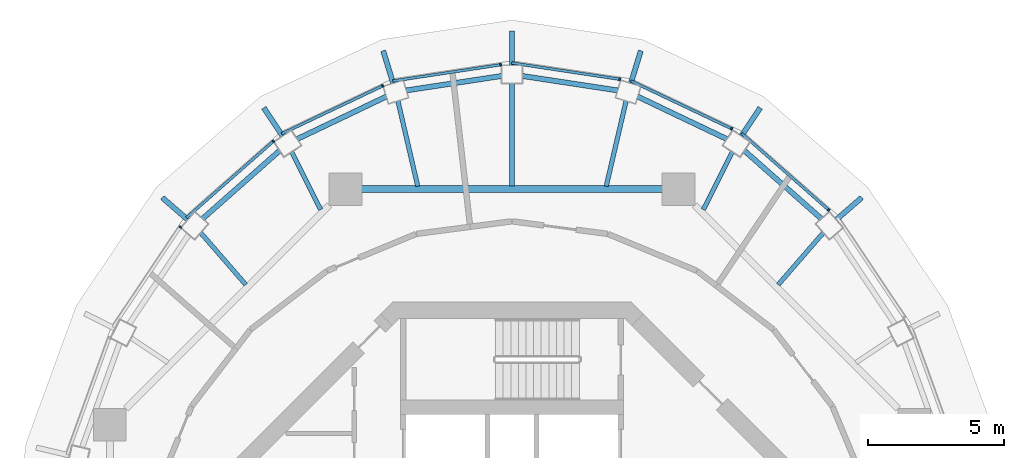
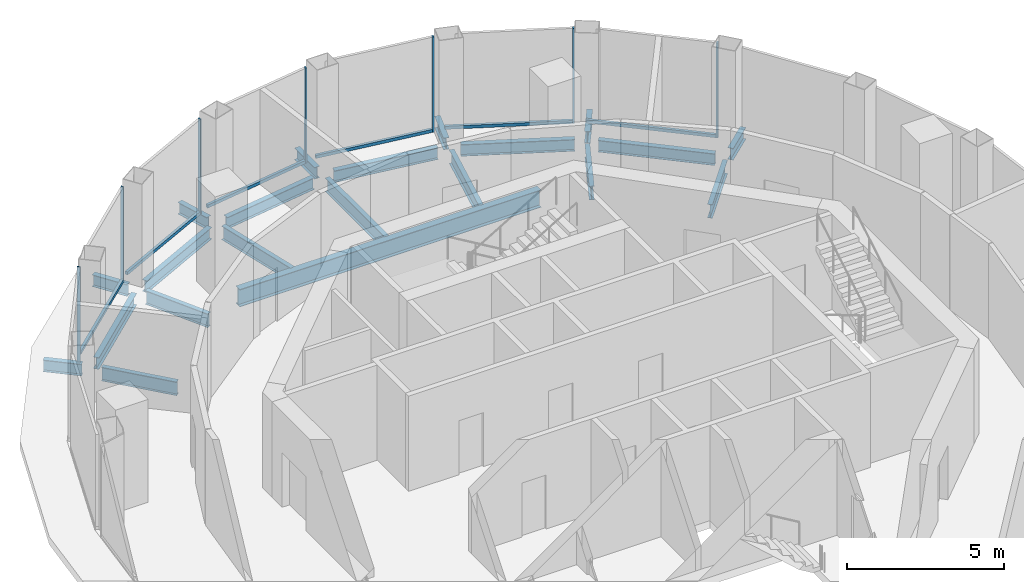
# One storey, part 6 of 11: 21 beams, 13 members, 7 elements without a shape of their own.
"""IFC4 building model written with IfcOpenShell, lengths in metres."""

from ifc_helpers import new_model, si_unit, direction, frame, origin, origin_2d, place, context, subcontext, project, spatial, rectangle, i_section, extrude, material, layer, layer_set, material_profile, profile_set, type_object, element, aggregate, save


model = new_model("IFC4")

# Units and contexts
model_context = context("Model", 3, precision=1e-05, world=origin(), true_north=direction((0.0, 1.0)))
body_context = subcontext(model_context, "Body", "Model", "MODEL_VIEW")
ifc_project = project(units=[si_unit("LENGTHUNIT", "METRE"), si_unit("AREAUNIT", "SQUARE_METRE"), si_unit("VOLUMEUNIT", "CUBIC_METRE"), si_unit("PLANEANGLEUNIT", "RADIAN"), si_unit("MASSUNIT", "GRAM", prefix="KILO")], contexts=[model_context])

# Site, building, storey
site_placement = place(None, origin())
site = spatial("IfcSite", under=ifc_project, at=site_placement, CompositionType="ELEMENT")
building_placement = place(site_placement, origin())
building = spatial("IfcBuilding", under=site, at=building_placement, Name="Nagisa Residences", CompositionType="ELEMENT")
storey_placement = place(building_placement, frame((0.0, 0.0, 324.89990234375)))
storey = spatial("IfcBuildingStorey", under=building, at=storey_placement, Name="L80", CompositionType="ELEMENT", Elevation=324.89990234375)

# Curtain wall, member
ifc_material_1 = material(Name="Aluminium curtain wall system", Category="aluminium")
ifc_layer = layer(ifc_material_1, 0.159912109375)
ifc_layer_set = layer_set([ifc_layer], Name="CW5 CURTAIN WALL")
curtain_wall_type = type_object("IfcCurtainWallType", Name="CW5 CURTAIN WALL", PredefinedType="NOTDEFINED", material=ifc_layer_set)
curtain_wall_1_placement = place(storey_placement, origin())
curtain_wall_1 = element("IfcCurtainWall", 1, at=curtain_wall_1_placement, inside=storey, type_object=curtain_wall_type, Name="cw:CW5:L80:03", PredefinedType="NOTDEFINED")
ifc_material_2 = material(Name="Aluminium", Category="aluminium")
ifc_material_profile_1 = material_profile(ifc_material_2, rectangle(XDim=0.10009765625, YDim=0.06005859375, at=origin_2d()), Name="CW5 MULLION 100x60")
ifc_profile_set_1 = profile_set([ifc_material_profile_1], Name="Aluminium")
member_type_1 = type_object("IfcMemberType", Name="CW5 MULLION 100x60", PredefinedType="MULLION", material=ifc_profile_set_1)
member_1_placement = place(storey_placement, frame((11.645263671875, 14.0126953125, 0.0), z_axis=(0.0, 0.0, 1.0), x_axis=(-0.660699467703, -0.750650526795, 0.0)))
member_1 = element("IfcMember", 2, at=member_1_placement, type_object=member_type_1, Name="CW5 mullion", PredefinedType="MULLION", context=body_context, shape_type="SweptSolid", body=[
    extrude(rectangle(XDim=0.10009765625, YDim=0.06005859375, at=origin_2d()), origin(), (0.0, 0.0, 1.0), 3.7001953125),
])

curtain_wall_2_placement = place(storey_placement, origin())
curtain_wall_2 = element("IfcCurtainWall", 3, at=curtain_wall_2_placement, inside=storey, type_object=curtain_wall_type, Name="cw:CW5:L80:04", PredefinedType="NOTDEFINED")
member_2_placement = place(storey_placement, frame((8.077392578125, 16.999755859375, 0.0), z_axis=(0.0, 0.0, 1.0), x_axis=(-0.429150642757, -0.903232929992, 0.0)))
member_2 = element("IfcMember", 4, at=member_2_placement, type_object=member_type_1, Name="CW5 mullion", PredefinedType="MULLION", context=body_context, shape_type="SweptSolid", body=[
    extrude(rectangle(XDim=0.10009765625, YDim=0.06005859375, at=origin_2d()), origin(), (0.0, 0.0, 1.0), 3.7001953125),
])

curtain_wall_3_placement = place(storey_placement, origin())
curtain_wall_3 = element("IfcCurtainWall", 5, at=curtain_wall_3_placement, inside=storey, type_object=curtain_wall_type, Name="cw:CW5:L80:05", PredefinedType="NOTDEFINED")
member_3_placement = place(storey_placement, frame((3.962890625, 18.820556640625, 0.0), z_axis=(0.0, 0.0, 1.0), x_axis=(-0.149320135997, -0.988788904158, 0.0)))
member_3 = element("IfcMember", 6, at=member_3_placement, type_object=member_type_1, Name="CW5 mullion", PredefinedType="MULLION", context=body_context, shape_type="SweptSolid", body=[
    extrude(rectangle(XDim=0.10009765625, YDim=0.06005859375, at=origin_2d()), origin(), (0.0, 0.0, 1.0), 3.7001953125),
])

curtain_wall_4_placement = place(storey_placement, origin())
curtain_wall_4 = element("IfcCurtainWall", 7, at=curtain_wall_4_placement, inside=storey, type_object=curtain_wall_type, Name="cw:CW5:L80:06", PredefinedType="NOTDEFINED")
member_4_placement = place(storey_placement, frame((-0.413330078125, 19.356689453125, 0.0), z_axis=(0.0, 0.0, 1.0), x_axis=(0.149320135997, -0.988788904158, 0.0)))
member_4 = element("IfcMember", 8, at=member_4_placement, type_object=member_type_1, Name="CW5 mullion", PredefinedType="MULLION", context=body_context, shape_type="SweptSolid", body=[
    extrude(rectangle(XDim=0.10009765625, YDim=0.06005859375, at=origin_2d()), origin(), (0.0, 0.0, 1.0), 3.7001953125),
])

curtain_wall_5_placement = place(storey_placement, origin())
curtain_wall_5 = element("IfcCurtainWall", 9, at=curtain_wall_5_placement, inside=storey, type_object=curtain_wall_type, Name="cw:CW5:L80:07", PredefinedType="NOTDEFINED")
member_5_placement = place(storey_placement, frame((-4.75390625, 18.578857421875, 0.0), z_axis=(0.0, 0.0, 1.0), x_axis=(0.429150642757, -0.903232929992, 0.0)))
member_5 = element("IfcMember", 10, at=member_5_placement, type_object=member_type_1, Name="CW5 mullion", PredefinedType="MULLION", context=body_context, shape_type="SweptSolid", body=[
    extrude(rectangle(XDim=0.10009765625, YDim=0.06005859375, at=origin_2d()), origin(), (0.0, 0.0, 1.0), 3.7001953125),
])

curtain_wall_6_placement = place(storey_placement, origin())
curtain_wall_6 = element("IfcCurtainWall", 11, at=curtain_wall_6_placement, inside=storey, type_object=curtain_wall_type, Name="cw:CW5:L80:08", PredefinedType="NOTDEFINED")
member_6_placement = place(storey_placement, frame((-8.77001953125, 16.54345703125, 0.0), z_axis=(0.0, 0.0, 1.0), x_axis=(0.660699467703, -0.750650526795, 0.0)))
member_6 = element("IfcMember", 12, at=member_6_placement, type_object=member_type_1, Name="CW5 mullion", PredefinedType="MULLION", context=body_context, shape_type="SweptSolid", body=[
    extrude(rectangle(XDim=0.10009765625, YDim=0.06005859375, at=origin_2d()), origin(), (0.0, 0.0, 1.0), 3.7001953125),
])

curtain_wall_7_placement = place(storey_placement, origin())
curtain_wall_7 = element("IfcCurtainWall", 13, at=curtain_wall_7_placement, inside=storey, type_object=curtain_wall_type, Name="cw:CW5:L80:09", PredefinedType="NOTDEFINED")
member_7_placement = place(storey_placement, frame((-12.193359375, 13.38671875, 0.0), z_axis=(0.0, 0.0, 1.0), x_axis=(0.831172662415, -0.556014393027, 0.0)))
member_7 = element("IfcMember", 14, at=member_7_placement, type_object=member_type_1, Name="CW5 mullion", PredefinedType="MULLION", context=body_context, shape_type="SweptSolid", body=[
    extrude(rectangle(XDim=0.10009765625, YDim=0.06005859375, at=origin_2d()), origin(), (0.0, 0.0, 1.0), 3.7001953125),
])
aggregate(curtain_wall_7, [member_7])

# Member
ifc_material_3 = material(Name="Aluminium", Category="aluminium")
ifc_material_profile_2 = material_profile(ifc_material_3, rectangle(XDim=0.10009765625, YDim=0.1201171875, at=origin_2d()), Name="CW5 TRANSOM 100x120")
ifc_profile_set_2 = profile_set([ifc_material_profile_2], Name="Aluminium")
member_type_2 = type_object("IfcMemberType", Name="CW5 TRANSOM 100x120", PredefinedType="USERDEFINED", material=ifc_profile_set_2)
member_8_placement = place(storey_placement, frame((11.667724609375, 13.992919921875, 0.06005859375), z_axis=(-0.750659327094, 0.660689469151, 0.0), x_axis=(-0.660689469151, -0.750659327094, 0.0)))
member_8 = element("IfcMember", 15, at=member_8_placement, type_object=member_type_2, Name="CW5 transom", ObjectType="TRANSOM", PredefinedType="USERDEFINED", context=body_context, shape_type="SweptSolid", body=[
    extrude(rectangle(XDim=0.10009765625, YDim=0.1201171875, at=origin_2d()), origin(), (0.0, 0.0, 1.0), 4.290283203125),
])

aggregate(curtain_wall_1, [member_1, member_8])

member_9_placement = place(storey_placement, frame((8.1044921875, 16.98681640625, 0.06005859375), z_axis=(-0.903246073132, 0.429122979309, 0.0), x_axis=(-0.429122979309, -0.903246073132, 0.0)))
member_9 = element("IfcMember", 16, at=member_9_placement, type_object=member_type_2, Name="CW5 transom", ObjectType="TRANSOM", PredefinedType="USERDEFINED", context=body_context, shape_type="SweptSolid", body=[
    extrude(rectangle(XDim=0.10009765625, YDim=0.1201171875, at=origin_2d()), origin(), (0.0, 0.0, 1.0), 4.1396484375),
])

aggregate(curtain_wall_2, [member_2, member_9])

member_10_placement = place(storey_placement, frame((3.992431640625, 18.816162109375, 0.06005859375), z_axis=(-0.988788172803, 0.149324978907, 0.0), x_axis=(-0.149324978907, -0.988788172803, 0.0)))
member_10 = element("IfcMember", 17, at=member_10_placement, type_object=member_type_2, Name="CW5 transom", ObjectType="TRANSOM", PredefinedType="USERDEFINED", context=body_context, shape_type="SweptSolid", body=[
    extrude(rectangle(XDim=0.10009765625, YDim=0.1201171875, at=origin_2d()), origin(), (0.0, 0.0, 1.0), 4.0498046875),
])

aggregate(curtain_wall_3, [member_3, member_10])

member_11_placement = place(storey_placement, frame((-0.383544921875, 19.361083984375, 0.06005859375), z_axis=(-0.988788172803, -0.149324978907, 0.0), x_axis=(0.149324978907, -0.988788172803, 0.0)))
member_11 = element("IfcMember", 18, at=member_11_placement, type_object=member_type_2, Name="CW5 transom", ObjectType="TRANSOM", PredefinedType="USERDEFINED", context=body_context, shape_type="SweptSolid", body=[
    extrude(rectangle(XDim=0.10009765625, YDim=0.1201171875, at=origin_2d()), origin(), (0.0, 0.0, 1.0), 4.0498046875),
])

aggregate(curtain_wall_4, [member_4, member_11])

member_12_placement = place(storey_placement, frame((-4.726806640625, 18.591552734375, 0.06005859375), z_axis=(-0.903235211694, -0.429145840426, 0.0), x_axis=(0.429145840426, -0.903235211694, 0.0)))
member_12 = element("IfcMember", 19, at=member_12_placement, type_object=member_type_2, Name="CW5 transom", ObjectType="TRANSOM", PredefinedType="USERDEFINED", context=body_context, shape_type="SweptSolid", body=[
    extrude(rectangle(XDim=0.10009765625, YDim=0.1201171875, at=origin_2d()), origin(), (0.0, 0.0, 1.0), 4.139404296875),
])

aggregate(curtain_wall_5, [member_5, member_12])

member_13_placement = place(storey_placement, frame((-8.747314453125, 16.563232421875, 0.06005859375), z_axis=(-0.750655944686, -0.66069331214, 0.0), x_axis=(0.66069331214, -0.750655944686, 0.0)))
member_13 = element("IfcMember", 20, at=member_13_placement, type_object=member_type_2, Name="CW5 transom", ObjectType="TRANSOM", PredefinedType="USERDEFINED", context=body_context, shape_type="SweptSolid", body=[
    extrude(rectangle(XDim=0.10009765625, YDim=0.1201171875, at=origin_2d()), origin(), (0.0, 0.0, 1.0), 4.29052734375),
])

aggregate(curtain_wall_6, [member_6, member_13])

# Beams
ifc_material_4 = material(Name="Steel ASTM A572 Gr 50", Category="steel")
ifc_material_profile_3 = material_profile(ifc_material_4, i_section(OverallWidth=0.2529296875, OverallDepth=0.677978515625, WebThickness=0.01171875, FlangeThickness=0.016357421875, at=origin_2d()), Name="W690x125")
ifc_profile_set_3 = profile_set([ifc_material_profile_3], Name="Steel ASTM A572 Gr 50")
beam_type_1 = type_object("IfcBeamType", Name="Inner ring beam W690x125", PredefinedType="BEAM", material=ifc_profile_set_3)
beam_1_placement = place(storey_placement, frame((5.54296875, 14.781982421875, -0.638916015625), z_axis=(-1.0, 0.0, 0.0), x_axis=(0.0, -1.0, 0.0)))
element("IfcBeam", 21, at=beam_1_placement, inside=storey, type_object=beam_type_1, Name="beam:L80:ib2", PredefinedType="BEAM", context=body_context, shape_type="SweptSolid", body=[
    extrude(i_section(OverallWidth=0.2529296875, OverallDepth=0.677978515625, WebThickness=0.01171875, FlangeThickness=0.016357421875, at=origin_2d()), origin(), (0.0, 0.0, 1.0), 11.0859375),
])
ifc_material_5 = material(Name="Steel ASTM A572 Gr 50", Category="steel")
ifc_material_profile_4 = material_profile(ifc_material_5, i_section(OverallWidth=0.18994140625, OverallDepth=0.45703125, WebThickness=0.009033203125, FlangeThickness=0.014404296875, at=origin_2d()), Name="W460x74")
ifc_profile_set_4 = profile_set([ifc_material_profile_4], Name="Steel ASTM A572 Gr 50")
beam_type_2 = type_object("IfcBeamType", Name="Lantern ring bracket W460x74", PredefinedType="BEAM", material=ifc_profile_set_4)
beam_2_placement = place(storey_placement, frame((11.916015625, 13.65185546875, -0.5283203125), z_axis=(0.753750379539, 0.65716083674, 0.0), x_axis=(-0.65716083674, 0.753750379539, 0.0)))
element("IfcBeam", 22, at=beam_2_placement, inside=storey, type_object=beam_type_2, Name="beam:L80:cb04", PredefinedType="BEAM", context=body_context, shape_type="SweptSolid", body=[
    extrude(i_section(OverallWidth=0.18994140625, OverallDepth=0.45703125, WebThickness=0.009033203125, FlangeThickness=0.014404296875, at=origin_2d()), origin(), (0.0, 0.0, 1.0), 1.24853515625),
])
beam_3_placement = place(storey_placement, frame((8.43212890625, 16.729736328125, -0.5283203125), z_axis=(0.552218453002, 0.833699454338, 0.0), x_axis=(-0.833699454338, 0.552218453002, 0.0)))
element("IfcBeam", 23, at=beam_3_placement, inside=storey, type_object=beam_type_2, Name="beam:L80:cb05", PredefinedType="BEAM", context=body_context, shape_type="SweptSolid", body=[
    extrude(i_section(OverallWidth=0.18994140625, OverallDepth=0.45703125, WebThickness=0.009033203125, FlangeThickness=0.014404296875, at=origin_2d()), origin(), (0.0, 0.0, 1.0), 1.249755859375),
])
beam_4_placement = place(storey_placement, frame((4.367431640625, 18.66796875, -0.5283203125), z_axis=(0.293731366826, 0.955888008159, 0.0), x_axis=(-0.955888008159, 0.293731366826, 0.0)))
element("IfcBeam", 24, at=beam_4_placement, inside=storey, type_object=beam_type_2, Name="beam:L80:cb06", PredefinedType="BEAM", context=body_context, shape_type="SweptSolid", body=[
    extrude(i_section(OverallWidth=0.18994140625, OverallDepth=0.45703125, WebThickness=0.009033203125, FlangeThickness=0.014404296875, at=origin_2d()), origin(), (0.0, 0.0, 1.0), 1.25830078125),
])
beam_5_placement = place(storey_placement, frame((0.0, 19.330078125, -0.5283203125), z_axis=(0.0, 1.0, 0.0), x_axis=(-1.0, 0.0, 0.0)))
element("IfcBeam", 25, at=beam_5_placement, inside=storey, type_object=beam_type_2, Name="beam:L80:cb07", PredefinedType="BEAM", context=body_context, shape_type="SweptSolid", body=[
    extrude(i_section(OverallWidth=0.18994140625, OverallDepth=0.45703125, WebThickness=0.009033203125, FlangeThickness=0.014404296875, at=origin_2d()), origin(), (0.0, 0.0, 1.0), 1.27001953125),
])
beam_6_placement = place(storey_placement, frame((-4.367431640625, 18.66796875, -0.5283203125), z_axis=(-0.293731366826, 0.955888008159, 0.0), x_axis=(-0.955888008159, -0.293731366826, 0.0)))
element("IfcBeam", 26, at=beam_6_placement, inside=storey, type_object=beam_type_2, Name="beam:L80:cb08", PredefinedType="BEAM", context=body_context, shape_type="SweptSolid", body=[
    extrude(i_section(OverallWidth=0.18994140625, OverallDepth=0.45703125, WebThickness=0.009033203125, FlangeThickness=0.014404296875, at=origin_2d()), origin(), (0.0, 0.0, 1.0), 1.25830078125),
])
beam_7_placement = place(storey_placement, frame((-8.43212890625, 16.729736328125, -0.5283203125), z_axis=(-0.552218453002, 0.833699454338, 0.0), x_axis=(-0.833699454338, -0.552218453002, 0.0)))
element("IfcBeam", 27, at=beam_7_placement, inside=storey, type_object=beam_type_2, Name="beam:L80:cb09", PredefinedType="BEAM", context=body_context, shape_type="SweptSolid", body=[
    extrude(i_section(OverallWidth=0.18994140625, OverallDepth=0.45703125, WebThickness=0.009033203125, FlangeThickness=0.014404296875, at=origin_2d()), origin(), (0.0, 0.0, 1.0), 1.249755859375),
])
beam_8_placement = place(storey_placement, frame((-11.916015625, 13.65185546875, -0.5283203125), z_axis=(-0.753750379539, 0.65716083674, 0.0), x_axis=(-0.65716083674, -0.753750379539, 0.0)))
element("IfcBeam", 28, at=beam_8_placement, inside=storey, type_object=beam_type_2, Name="beam:L80:cb10", PredefinedType="BEAM", context=body_context, shape_type="SweptSolid", body=[
    extrude(i_section(OverallWidth=0.18994140625, OverallDepth=0.45703125, WebThickness=0.009033203125, FlangeThickness=0.014404296875, at=origin_2d()), origin(), (0.0, 0.0, 1.0), 1.24853515625),
])
ifc_material_6 = material(Name="Steel ASTM A572 Gr 50", Category="steel")
ifc_material_profile_5 = material_profile(ifc_material_6, i_section(OverallWidth=0.18994140625, OverallDepth=0.45703125, WebThickness=0.009033203125, FlangeThickness=0.014404296875, at=origin_2d()), Name="W460x74")
ifc_profile_set_5 = profile_set([ifc_material_profile_5], Name="Steel ASTM A572 Gr 50")
beam_type_3 = type_object("IfcBeamType", Name="Perimeter ring beam W460x74", PredefinedType="BEAM", material=ifc_profile_set_5)
beam_9_placement = place(storey_placement, frame((11.3798828125, 13.68896484375, -0.5283203125), z_axis=(-0.749401876552, 0.662115418503, 0.0), x_axis=(-0.662115418503, -0.749401876552, 0.0)))
element("IfcBeam", 29, at=beam_9_placement, inside=storey, type_object=beam_type_3, Name="beam:L80:pb04", PredefinedType="BEAM", context=body_context, shape_type="SweptSolid", body=[
    extrude(i_section(OverallWidth=0.18994140625, OverallDepth=0.45703125, WebThickness=0.009033203125, FlangeThickness=0.014404296875, at=origin_2d()), origin(), (0.0, 0.0, 1.0), 3.792724609375),
])
beam_10_placement = place(storey_placement, frame((7.903564453125, 16.619873046875, -0.5283203125), z_axis=(-0.902613702305, 0.430451512266, 0.0), x_axis=(-0.430451512266, -0.902613702305, 0.0)))
element("IfcBeam", 30, at=beam_10_placement, inside=storey, type_object=beam_type_3, Name="beam:L80:pb05", PredefinedType="BEAM", context=body_context, shape_type="SweptSolid", body=[
    extrude(i_section(OverallWidth=0.18994140625, OverallDepth=0.45703125, WebThickness=0.009033203125, FlangeThickness=0.014404296875, at=origin_2d()), origin(), (0.0, 0.0, 1.0), 3.640625),
])
for number, where, z_axis, x_axis, name in (
    (31, (3.890380859375, 18.41015625, -0.5283203125), (-0.988700067025, 0.149907229525, 0.0), (-0.149907229525, -0.988700067025, 0.0), "beam:L80:pb06"),
    (32, (-0.380126953125, 18.9423828125, -0.5283203125), (-0.988700067025, -0.149907229525, 0.0), (0.149907229525, -0.988700067025, 0.0), "beam:L80:pb07"),
):
    element("IfcBeam", number, at=place(storey_placement, frame(where, z_axis=z_axis, x_axis=x_axis)), inside=storey, type_object=beam_type_3, Name=name, PredefinedType="BEAM", context=body_context, shape_type="SweptSolid", body=[
        extrude(i_section(OverallWidth=0.18994140625, OverallDepth=0.45703125, WebThickness=0.009033203125, FlangeThickness=0.014404296875, at=origin_2d()), origin(), (0.0, 0.0, 1.0), 3.55029296875),
    ])
beam_11_placement = place(storey_placement, frame((-4.617431640625, 18.18701171875, -0.5283203125), z_axis=(-0.902613702305, -0.430451512266, 0.0), x_axis=(0.430451512266, -0.902613702305, 0.0)))
element("IfcBeam", 33, at=beam_11_placement, inside=storey, type_object=beam_type_3, Name="beam:L80:pb08", PredefinedType="BEAM", context=body_context, shape_type="SweptSolid", body=[
    extrude(i_section(OverallWidth=0.18994140625, OverallDepth=0.45703125, WebThickness=0.009033203125, FlangeThickness=0.014404296875, at=origin_2d()), origin(), (0.0, 0.0, 1.0), 3.640625),
])
beam_12_placement = place(storey_placement, frame((-8.53759765625, 16.2001953125, -0.5283203125), z_axis=(-0.749401876552, -0.662115418503, 0.0), x_axis=(0.662115418503, -0.749401876552, 0.0)))
element("IfcBeam", 34, at=beam_12_placement, inside=storey, type_object=beam_type_3, Name="beam:L80:pb09", PredefinedType="BEAM", context=body_context, shape_type="SweptSolid", body=[
    extrude(i_section(OverallWidth=0.18994140625, OverallDepth=0.45703125, WebThickness=0.009033203125, FlangeThickness=0.014404296875, at=origin_2d()), origin(), (0.0, 0.0, 1.0), 3.792724609375),
])
ifc_material_7 = material(Name="Steel ASTM A572 Gr 50", Category="steel")
ifc_material_profile_6 = material_profile(ifc_material_7, i_section(OverallWidth=0.166015625, OverallDepth=0.534912109375, WebThickness=0.01025390625, FlangeThickness=0.0166015625, at=origin_2d()), Name="W530x85")
ifc_profile_set_6 = profile_set([ifc_material_profile_6], Name="Steel ASTM A572 Gr 50")
beam_type_4 = type_object("IfcBeamType", Name="Radial beam W530x85", PredefinedType="BEAM", material=ifc_profile_set_6)
beam_13_placement = place(storey_placement, frame((11.44873046875, 13.183349609375, -0.5673828125), z_axis=(-0.655718438616, -0.755005516045, 0.0), x_axis=(0.755005516045, -0.655718438616, 0.0)))
element("IfcBeam", 35, at=beam_13_placement, inside=storey, type_object=beam_type_4, Name="beam:L80:rb04", PredefinedType="BEAM", context=body_context, shape_type="SweptSolid", body=[
    extrude(i_section(OverallWidth=0.166015625, OverallDepth=0.534912109375, WebThickness=0.01025390625, FlangeThickness=0.0166015625, at=origin_2d()), origin(), (0.0, 0.0, 1.0), 2.53515625),
])
beam_14_placement = place(storey_placement, frame((8.10107421875, 16.1572265625, -0.5673828125), z_axis=(-0.448236908276, -0.893914802461, 0.0), x_axis=(0.893914802461, -0.448236908276, 0.0)))
element("IfcBeam", 36, at=beam_14_placement, inside=storey, type_object=beam_type_4, Name="beam:L80:rb05", PredefinedType="BEAM", context=body_context, shape_type="SweptSolid", body=[
    extrude(i_section(OverallWidth=0.166015625, OverallDepth=0.534912109375, WebThickness=0.01025390625, FlangeThickness=0.0166015625, at=origin_2d()), origin(), (0.0, 0.0, 1.0), 2.385009765625),
])
beam_15_placement = place(storey_placement, frame((4.195556640625, 18.0302734375, -0.5673828125), z_axis=(-0.226650446588, -0.973976167604, 0.0), x_axis=(0.973976167604, -0.226650446588, 0.0)))
element("IfcBeam", 37, at=beam_15_placement, inside=storey, type_object=beam_type_4, Name="beam:L80:rb06", PredefinedType="BEAM", context=body_context, shape_type="SweptSolid", body=[
    extrude(i_section(OverallWidth=0.166015625, OverallDepth=0.534912109375, WebThickness=0.01025390625, FlangeThickness=0.0166015625, at=origin_2d()), origin(), (0.0, 0.0, 1.0), 3.22509765625),
])
beam_16_placement = place(storey_placement, frame((0.0, 18.669921875, -0.5673828125), z_axis=(0.0, -1.0, 0.0), x_axis=(1.0, 0.0, 0.0)))
element("IfcBeam", 38, at=beam_16_placement, inside=storey, type_object=beam_type_4, Name="beam:L80:rb07", PredefinedType="BEAM", context=body_context, shape_type="SweptSolid", body=[
    extrude(i_section(OverallWidth=0.166015625, OverallDepth=0.534912109375, WebThickness=0.01025390625, FlangeThickness=0.0166015625, at=origin_2d()), origin(), (0.0, 0.0, 1.0), 3.78125),
])
beam_17_placement = place(storey_placement, frame((-4.195556640625, 18.0302734375, -0.5673828125), z_axis=(0.226650446588, -0.973976167604, 0.0), x_axis=(0.973976167604, 0.226650446588, 0.0)))
element("IfcBeam", 39, at=beam_17_placement, inside=storey, type_object=beam_type_4, Name="beam:L80:rb08", PredefinedType="BEAM", context=body_context, shape_type="SweptSolid", body=[
    extrude(i_section(OverallWidth=0.166015625, OverallDepth=0.534912109375, WebThickness=0.01025390625, FlangeThickness=0.0166015625, at=origin_2d()), origin(), (0.0, 0.0, 1.0), 3.22509765625),
])
beam_18_placement = place(storey_placement, frame((-8.10107421875, 16.1572265625, -0.5673828125), z_axis=(0.448236908276, -0.893914802461, 0.0), x_axis=(0.893914802461, 0.448236908276, 0.0)))
element("IfcBeam", 40, at=beam_18_placement, inside=storey, type_object=beam_type_4, Name="beam:L80:rb09", PredefinedType="BEAM", context=body_context, shape_type="SweptSolid", body=[
    extrude(i_section(OverallWidth=0.166015625, OverallDepth=0.534912109375, WebThickness=0.01025390625, FlangeThickness=0.0166015625, at=origin_2d()), origin(), (0.0, 0.0, 1.0), 2.385009765625),
])
beam_19_placement = place(storey_placement, frame((-11.44873046875, 13.183349609375, -0.5673828125), z_axis=(0.655718438616, -0.755005516045, 0.0), x_axis=(0.755005516045, 0.655718438616, 0.0)))
element("IfcBeam", 41, at=beam_19_placement, inside=storey, type_object=beam_type_4, Name="beam:L80:rb10", PredefinedType="BEAM", context=body_context, shape_type="SweptSolid", body=[
    extrude(i_section(OverallWidth=0.166015625, OverallDepth=0.534912109375, WebThickness=0.01025390625, FlangeThickness=0.0166015625, at=origin_2d()), origin(), (0.0, 0.0, 1.0), 2.53515625),
])

save(model, "model.ifc")
